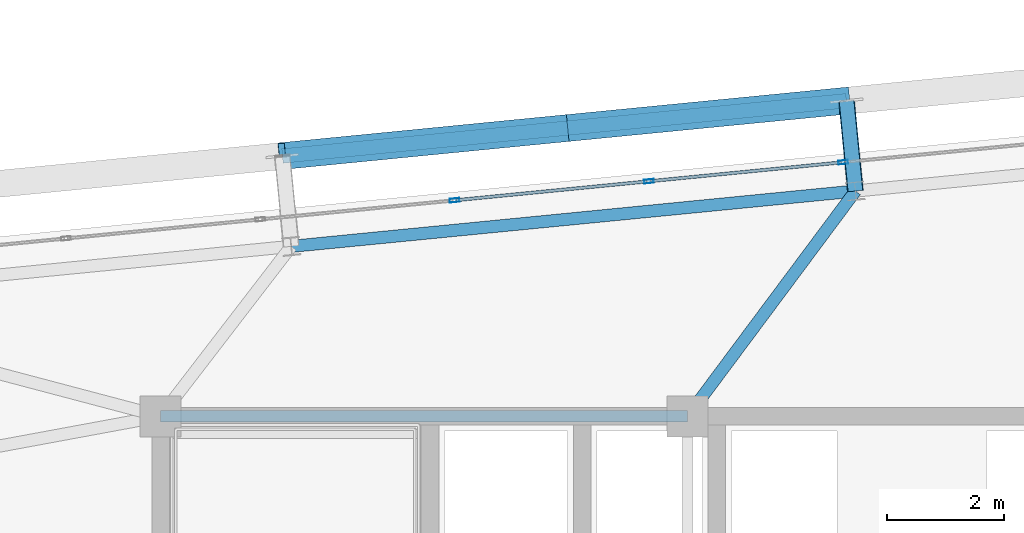
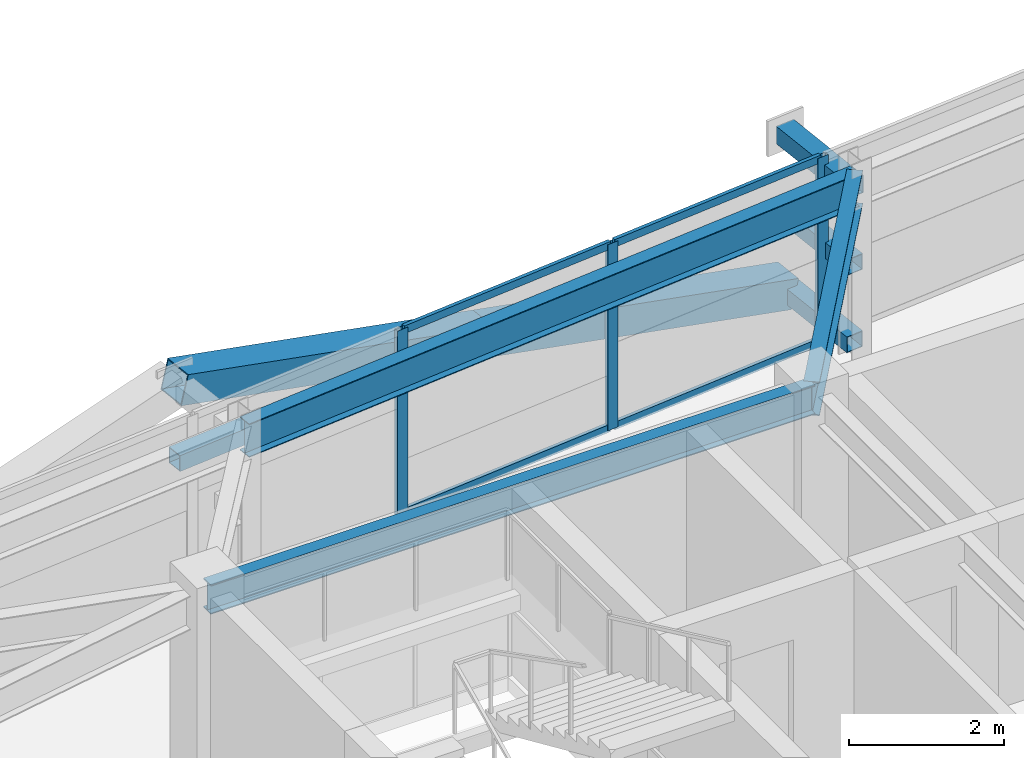
# One storey, part 29 of 52: 13 members, 3 beams, 1 element without a shape of its own.
"""IFC4 building model written with IfcOpenShell, lengths in metres."""

from ifc_helpers import new_model, si_unit, direction, frame, origin, origin_2d, place, context, subcontext, project, spatial, hollow_rectangle, i_section, extrude, source, transform, mapped, material, layer, layer_set, material_profile, profile_set, type_object, element, aggregate, save


model = new_model("IFC4")

# Units and contexts
model_context = context("Model", 3, precision=1e-05, world=origin(), true_north=direction((0.0, 1.0)))
body_context = subcontext(model_context, "Body", "Model", "MODEL_VIEW")
ifc_project = project(units=[si_unit("LENGTHUNIT", "METRE"), si_unit("AREAUNIT", "SQUARE_METRE"), si_unit("VOLUMEUNIT", "CUBIC_METRE"), si_unit("PLANEANGLEUNIT", "RADIAN"), si_unit("MASSUNIT", "GRAM", prefix="KILO")], contexts=[model_context])

# Site, building, storey
site_placement = place(None, origin())
site = spatial("IfcSite", under=ifc_project, at=site_placement, CompositionType="ELEMENT")
building_placement = place(site_placement, origin())
building = spatial("IfcBuilding", under=site, at=building_placement, Name="Taldren Reach Tower", CompositionType="ELEMENT")
storey_placement = place(building_placement, frame((0.0, 0.0, 93.449951171875)))
storey = spatial("IfcBuildingStorey", under=building, at=storey_placement, Name="L28", CompositionType="ELEMENT", Elevation=93.449951171875)

# Beam
ifc_material_1 = material(Name="Steel Gr 350 (350PLUS)", Category="steel")
ifc_material_profile_1 = material_profile(ifc_material_1, i_section(OverallWidth=0.19091796875, OverallDepth=0.4599609375, WebThickness=0.010009765625, FlangeThickness=0.01611328125, at=origin_2d()), Name="460UB82.1")
ifc_profile_set_1 = profile_set([ifc_material_profile_1], Name="Steel Gr 350 (350PLUS)")
beam_type_1 = type_object("IfcBeamType", Name="BM-UB460A", PredefinedType="BEAM", material=ifc_profile_set_1)
shared_shape_1 = source(origin(), body_context, "Body", "SweptSolid", [
    extrude(i_section(OverallWidth=0.19091796875, OverallDepth=0.4599609375, WebThickness=0.010009765625, FlangeThickness=0.01611328125, at=origin_2d()), origin(), (0.0, 0.0, 1.0), 9.0),
])
beam_1_placement = place(storey_placement, frame((19.0, 32.0, 2.699951171875), z_axis=(1.0, 0.0, 0.0), x_axis=(0.0, 1.0, 0.0)))
element("IfcBeam", 1, at=beam_1_placement, inside=storey, type_object=beam_type_1, Name="Core-spine girder L28-SP04", PredefinedType="BEAM", context=body_context, shape_type="MappedRepresentation", body=[
    mapped(shared_shape_1, transform((0.0, 0.0, 0.0), scale=1.0)),
])

# Members
ifc_material_2 = material(Name="Steel Gr 450 (C450L0)", Category="steel")
ifc_material_profile_2 = material_profile(ifc_material_2, hollow_rectangle(XDim=0.27490234375, YDim=0.27490234375, WallThickness=0.00927734375, at=origin_2d()), Name="275x275x9.3SHS")
ifc_profile_set_2 = profile_set([ifc_material_profile_2], Name="Steel Gr 450 (C450L0)")
member_type_1 = type_object("IfcMemberType", Name="MB-TIE273", PredefinedType="STRUT", material=ifc_profile_set_2)
shared_shape_2 = source(origin(), body_context, "Body", "SweptSolid", [
    extrude(hollow_rectangle(XDim=0.27490234375, YDim=0.27490234375, WallThickness=0.00927734375, at=origin_2d()), origin(), (0.0, 0.0, 1.0), 1.5498046875),
])
member_1_placement = place(storey_placement, frame((30.864501953125, 35.84619140625, 2.650146484375), z_axis=(-0.097663201064, 0.995219523099, 0.0), x_axis=(-0.995219523099, -0.097663201064, 0.0)))
element("IfcMember", 2, at=member_1_placement, inside=storey, type_object=member_type_1, Name="Exoskeleton diaphragm tie strut B2-N3 L28", PredefinedType="STRUT", context=body_context, shape_type="MappedRepresentation", body=[
    mapped(shared_shape_2, transform((0.0, 0.0, 0.0), scale=1.0)),
])
ifc_material_3 = material(Name="Steel Gr 350 (C350L0)", Category="steel")
ifc_material_profile_3 = material_profile(ifc_material_3, hollow_rectangle(XDim=0.25, YDim=0.25, WallThickness=0.010009765625, at=origin_2d()), Name="250x250x10.0SHS")
ifc_profile_set_3 = profile_set([ifc_material_profile_3], Name="Steel Gr 350 (C350L0)")
member_type_2 = type_object("IfcMemberType", Name="MB-POST250", PredefinedType="POST", material=ifc_profile_set_3)
shared_shape_3 = source(origin(), body_context, "Body", "SweptSolid", [
    extrude(hollow_rectangle(XDim=0.25, YDim=0.25, WallThickness=0.010009765625, at=origin_2d()), origin(), (0.0, 0.0, 1.0), 1.5498046875),
])
for number, where, z_axis, x_axis, name in (
    (3, (30.864501953125, 35.84619140625, 0.219970703125), (-0.097663201064, 0.995219523099, 0.0), (-0.995219523099, -0.097663201064, 0.0), "Exoskeleton base diaphragm tie strut B2-N3 L28"),
    (4, (30.864501953125, 35.84619140625, 1.43505859375), (-0.097663201064, 0.995219523099, 0.0), (-0.995219523099, -0.097663201064, 0.0), "Exoskeleton mid-tier diaphragm tie B2-N3 L28"),
):
    element("IfcMember", number, at=place(storey_placement, frame(where, z_axis=z_axis, x_axis=x_axis)), inside=storey, type_object=member_type_2, Name=name, PredefinedType="POST", context=body_context, shape_type="MappedRepresentation", body=[
        mapped(shared_shape_3, transform((0.0, 0.0, 0.0), scale=1.0)),
    ])

# Beams
ifc_material_profile_4 = material_profile(ifc_material_1, i_section(OverallWidth=0.208984375, OverallDepth=0.528076171875, WebThickness=0.009521484375, FlangeThickness=0.01318359375, at=origin_2d()), Name="530UB82.0")
ifc_profile_set_4 = profile_set([ifc_material_profile_4], Name="Steel Gr 350 (350PLUS)")
beam_type_2 = type_object("IfcBeamType", Name="SP-UB530B", PredefinedType="SPANDREL", material=ifc_profile_set_4)
shared_shape_4 = source(origin(), body_context, "Body", "SweptSolid", [
    extrude(i_section(OverallWidth=0.208984375, OverallDepth=0.528076171875, WebThickness=0.009521484375, FlangeThickness=0.01318359375, at=origin_2d()), origin(), (0.0, 0.0, 1.0), 9.679931640625),
])
beam_2_placement = place(storey_placement, frame((30.864501953125, 35.84619140625, 2.666015625), z_axis=(-0.995225162995, -0.097605711627, 0.0), x_axis=(0.097605711627, -0.995225162995, 0.0)))
element("IfcBeam", 5, at=beam_2_placement, inside=storey, type_object=beam_type_2, Name="Perimeter spandrel B2 N3-N2 L28", PredefinedType="SPANDREL", context=body_context, shape_type="MappedRepresentation", body=[
    mapped(shared_shape_4, transform((0.0, 0.0, 0.0), scale=1.0)),
])
ifc_material_profile_5 = material_profile(ifc_material_1, i_section(OverallWidth=0.208984375, OverallDepth=0.532958984375, WebThickness=0.01025390625, FlangeThickness=0.015625, at=origin_2d()), Name="530UB92.4")
ifc_profile_set_5 = profile_set([ifc_material_profile_5], Name="Steel Gr 350 (350PLUS)")
beam_type_3 = type_object("IfcBeamType", Name="BM-UB530A", PredefinedType="BEAM", material=ifc_profile_set_5)
shared_shape_5 = source(origin(), body_context, "Body", "SweptSolid", [
    extrude(i_section(OverallWidth=0.208984375, OverallDepth=0.532958984375, WebThickness=0.01025390625, FlangeThickness=0.015625, at=origin_2d()), origin(), (0.0, 0.0, 1.0), 4.795654296875),
])
beam_3_placement = place(storey_placement, frame((28.0, 32.0, 2.66357421875), z_axis=(0.59730864792, 0.802011458223, 0.0), x_axis=(-0.802011458223, 0.59730864792, 0.0)))
element("IfcBeam", 6, at=beam_3_placement, inside=storey, type_object=beam_type_3, Name="Primary floor girder B2-N3 L28", PredefinedType="BEAM", context=body_context, shape_type="MappedRepresentation", body=[
    mapped(shared_shape_5, transform((0.0, 0.0, 0.0), scale=1.0)),
])

# Members
ifc_material_profile_6 = material_profile(ifc_material_2, hollow_rectangle(XDim=0.4599609375, YDim=0.4599609375, WallThickness=0.01611328125, at=origin_2d()), Name="460x460x16.0SHS")
ifc_profile_set_6 = profile_set([ifc_material_profile_6], Name="Steel Gr 450 (C450L0)")
member_type_3 = type_object("IfcMemberType", Name="MB-EXO457", PredefinedType="BRACE", material=ifc_profile_set_6)
shared_shape_6 = source(origin(), body_context, "Body", "SweptSolid", [
    extrude(hollow_rectangle(XDim=0.4599609375, YDim=0.4599609375, WallThickness=0.01611328125, at=origin_2d()), origin(), (0.0, 0.0, 1.0), 4.990234375),
])
for number, where, z_axis, x_axis, name in (
    (7, (30.713134765625, 37.388671875, 0.219970703125), (-0.965275526283, -0.094619506732, 0.243496010862), (0.097555749586, -0.995230061706, 0.0), "Exoskeleton Diagrid Brace B2-N2 L28"),
    (8, (25.896240234375, 36.91650390625, 1.43505859375), (-0.965271056716, -0.094667992638, 0.243494883389), (0.097605711627, -0.995225162995, 0.0), "Exoskeleton Diagrid Brace B2-N2 L28"),
):
    element("IfcMember", number, at=place(storey_placement, frame(where, z_axis=z_axis, x_axis=x_axis)), inside=storey, type_object=member_type_3, Name=name, PredefinedType="BRACE", context=body_context, shape_type="MappedRepresentation", body=[
        mapped(shared_shape_6, transform((0.0, 0.0, 0.0), scale=1.0)),
    ])
shared_shape_7 = source(origin(), body_context, "Body", "SweptSolid", [
    extrude(hollow_rectangle(XDim=0.25, YDim=0.25, WallThickness=0.010009765625, at=origin_2d()), origin(), (0.0, 0.0, 1.0), 9.679931640625),
])
member_2_placement = place(storey_placement, frame((21.079345703125, 36.444091796875, 1.43505859375), z_axis=(0.995227612658, 0.097580730699, 0.0), x_axis=(-0.097580730699, 0.995227612658, 0.0)))
element("IfcMember", 9, at=member_2_placement, inside=storey, type_object=member_type_2, Name="Exoskeleton mid-height ring chord B2-N2 L28", PredefinedType="POST", context=body_context, shape_type="MappedRepresentation", body=[
    mapped(shared_shape_7, transform((0.0, 0.0, 0.0), scale=1.0)),
])

# Curtain wall, members
ifc_material_4 = material(Name="Aluminium and Low-E Glass Unitised System", Category="aluminium")
ifc_layer = layer(ifc_material_4, 0.159912109375)
ifc_layer_set = layer_set([ifc_layer], Name="Aluminium and Low-E Glass Unitised System")
curtain_wall_type = type_object("IfcCurtainWallType", Name="CW-SYS-3", PredefinedType="NOTDEFINED", material=ifc_layer_set)
curtain_wall_placement = place(storey_placement, origin())
curtain_wall = element("IfcCurtainWall", 10, at=curtain_wall_placement, inside=storey, type_object=curtain_wall_type, Name="Unitised curtain wall CW-L28-N", PredefinedType="NOTDEFINED")
ifc_material_5 = material(Name="Anodised Aluminium 6063-T6", Category="aluminium")
ifc_material_profile_7 = material_profile(ifc_material_5, hollow_rectangle(XDim=0.06494140625, YDim=0.1650390625, WallThickness=0.00390625, at=origin_2d()), Name="ALU-165x65x4RHS")
ifc_profile_set_7 = profile_set([ifc_material_profile_7], Name="Anodised Aluminium 6063-T6")
member_type_4 = type_object("IfcMemberType", Name="CW-MUL-165", PredefinedType="MULLION", material=ifc_profile_set_7)
shared_shape_8 = source(origin(), body_context, "Body", "SweptSolid", [
    extrude(hollow_rectangle(XDim=0.06494140625, YDim=0.1650390625, WallThickness=0.00390625, at=origin_2d()), origin(), (0.0, 0.0, 1.0), 2.929931640625),
])
member_3_placement = place(storey_placement, frame((30.655517578125, 36.338134765625, 0.0), z_axis=(0.0, 0.0, 1.0), x_axis=(0.097582999046, -0.995227390247, 0.0)))
member_3 = element("IfcMember", 11, at=member_3_placement, type_object=member_type_4, Name="CW-3 mullion 10", PredefinedType="MULLION", context=body_context, shape_type="MappedRepresentation", body=[
    mapped(shared_shape_8, transform((0.0, 0.0, 0.0), scale=1.0)),
])
member_4_placement = place(storey_placement, frame((27.337890625, 36.0126953125, 0.0), z_axis=(0.0, 0.0, 1.0), x_axis=(0.097582999046, -0.995227390247, 0.0)))
member_4 = element("IfcMember", 12, at=member_4_placement, type_object=member_type_4, Name="CW-3 mullion 11", PredefinedType="MULLION", context=body_context, shape_type="MappedRepresentation", body=[
    mapped(shared_shape_8, transform((0.0, 0.0, 0.0), scale=1.0)),
])
member_5_placement = place(storey_placement, frame((24.0205078125, 35.6875, 0.0), z_axis=(0.0, 0.0, 1.0), x_axis=(0.097582999046, -0.995227390247, 0.0)))
member_5 = element("IfcMember", 13, at=member_5_placement, type_object=member_type_4, Name="CW-3 mullion 12", PredefinedType="MULLION", context=body_context, shape_type="MappedRepresentation", body=[
    mapped(shared_shape_8, transform((0.0, 0.0, 0.0), scale=1.0)),
])
ifc_material_profile_8 = material_profile(ifc_material_5, hollow_rectangle(XDim=0.054931640625, YDim=0.1201171875, WallThickness=0.0029296875, at=origin_2d()), Name="ALU-120x55x3RHS")
ifc_profile_set_8 = profile_set([ifc_material_profile_8], Name="Anodised Aluminium 6063-T6")
member_type_5 = type_object("IfcMemberType", Name="CW-TRN-135", PredefinedType="USERDEFINED", material=ifc_profile_set_8)
shared_shape_9 = source(origin(), body_context, "Body", "SweptSolid", [
    extrude(hollow_rectangle(XDim=0.054931640625, YDim=0.1201171875, WallThickness=0.0029296875, at=origin_2d()), origin(), (0.0, 0.0, 1.0), 3.268310546875),
])
member_6_placement = place(storey_placement, frame((30.623046875, 36.3349609375, 0.027587890625), z_axis=(-0.995222549564, -0.097632355496, 0.0), x_axis=(0.097632355496, -0.995222549564, 0.0)))
member_6 = element("IfcMember", 14, at=member_6_placement, type_object=member_type_5, Name="CW-3 transom 10.1", ObjectType="TRANSOM", PredefinedType="USERDEFINED", context=body_context, shape_type="MappedRepresentation", body=[
    mapped(shared_shape_9, transform((0.0, 0.0, 0.0), scale=1.0)),
])
member_7_placement = place(storey_placement, frame((30.623046875, 36.3349609375, 2.902587890625), z_axis=(-0.995222549564, -0.097632355496, 0.0), x_axis=(0.097632355496, -0.995222549564, 0.0)))
member_7 = element("IfcMember", 15, at=member_7_placement, type_object=member_type_5, Name="CW-3 transom 10.2", ObjectType="TRANSOM", PredefinedType="USERDEFINED", context=body_context, shape_type="MappedRepresentation", body=[
    mapped(shared_shape_9, transform((0.0, 0.0, 0.0), scale=1.0)),
])
member_8_placement = place(storey_placement, frame((27.3056640625, 36.009521484375, 0.027587890625), z_axis=(-0.99522980512, -0.097558367146, 0.0), x_axis=(0.097558367146, -0.99522980512, 0.0)))
member_8 = element("IfcMember", 16, at=member_8_placement, type_object=member_type_5, Name="CW-3 transom 11.1", ObjectType="TRANSOM", PredefinedType="USERDEFINED", context=body_context, shape_type="MappedRepresentation", body=[
    mapped(shared_shape_9, transform((0.0, 0.0, 0.0), scale=1.0)),
])
member_9_placement = place(storey_placement, frame((27.3056640625, 36.009521484375, 2.902587890625), z_axis=(-0.99522980512, -0.097558367146, 0.0), x_axis=(0.097558367146, -0.99522980512, 0.0)))
member_9 = element("IfcMember", 17, at=member_9_placement, type_object=member_type_5, Name="CW-3 transom 11.2", ObjectType="TRANSOM", PredefinedType="USERDEFINED", context=body_context, shape_type="MappedRepresentation", body=[
    mapped(shared_shape_9, transform((0.0, 0.0, 0.0), scale=1.0)),
])
aggregate(curtain_wall, [member_3, member_4, member_5, member_6, member_7, member_8, member_9])

save(model, "model.ifc")
